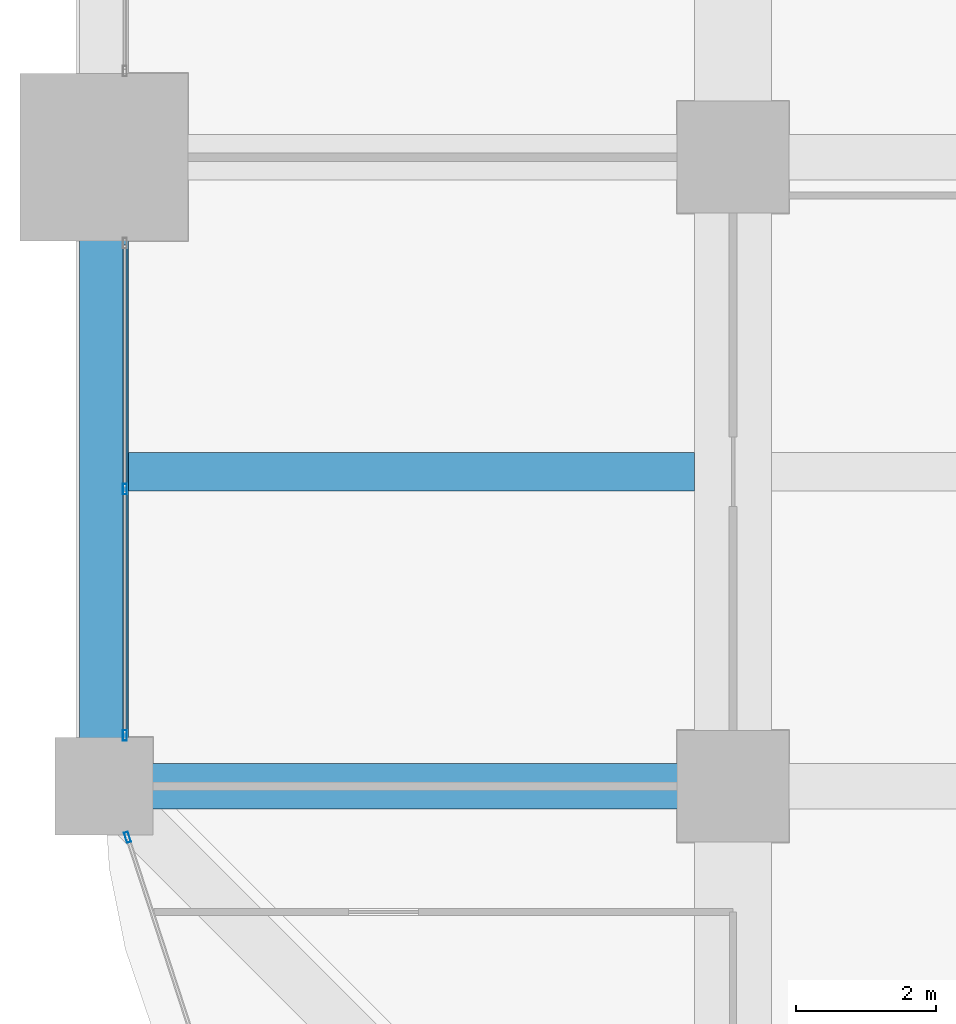
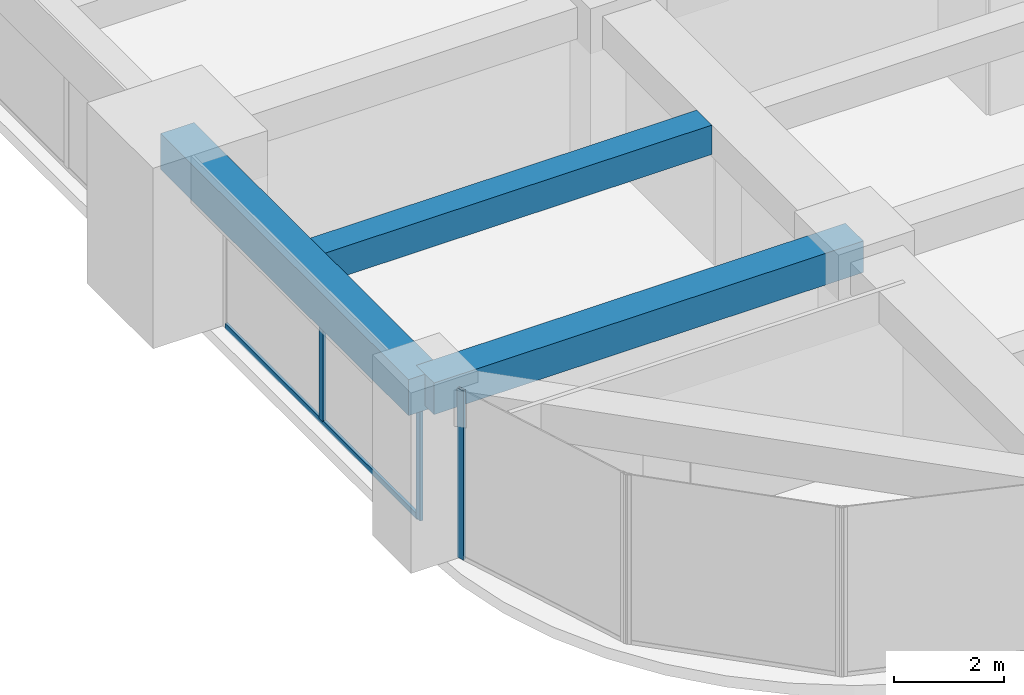
# One storey, part 4 of 32: 4 members, 3 beams, 2 elements without a shape of their own.
"""IFC4 building model written with IfcOpenShell, lengths in metres."""

import ifcopenshell
import ifcopenshell.guid

model = None  # the IFC model being written
_history = None  # IfcOwnerHistory: only IFC2X3 demands one
_inside = {}  # id of a spatial element -> (the spatial element, [elements in it])
_under = {}  # id of a project, library or spatial element -> (it, [spatial elements below it])
_declared = {}  # id of a project -> (the project, [libraries it declares])
_typed = {}  # id of a type object -> (the type object, [elements of that type])
_made_of = {}  # id of a material, layer set ... -> (it, [elements and type objects made of it])


def new_model(schema):
    """Start an empty IFC model of exactly this schema.

    Asked for "IFC4X3", IfcOpenShell would pick the latest addendum, in which some entities
    have other attributes; the version numbers below select the first issue.
    IFC2X3 requires an IfcOwnerHistory on every rooted entity: one is made here for all.
    """
    global model, _history
    if schema == "IFC4X3":
        model = ifcopenshell.file(schema_version=(4, 3, 0, 0))
    else:
        model = ifcopenshell.file(schema=schema)
    _inside.clear()
    _under.clear()
    _declared.clear()
    _typed.clear()
    _made_of.clear()
    _history = None
    if model.schema == "IFC2X3":
        org = make("IfcOrganization", Name="unknown")
        user = make(
            "IfcPersonAndOrganization",
            ThePerson=make("IfcPerson", FamilyName="unknown"),
            TheOrganization=org,
        )
        app = make(
            "IfcApplication",
            ApplicationDeveloper=org,
            Version="unknown",
            ApplicationFullName="unknown",
            ApplicationIdentifier="unknown",
        )
        _history = make(
            "IfcOwnerHistory",
            OwningUser=user,
            OwningApplication=app,
            ChangeAction="ADDED",
            CreationDate=0,
        )
    return model


def make(cls, **values):
    """One entity of the class cls with the attributes given. An attribute that is None is left unset."""
    return model.create_entity(
        cls, **{name: value for name, value in values.items() if value is not None}
    )


def rooted(cls, **values):
    """An entity with a GlobalId (a new one), such as an element, a storey or a relation."""
    return make(cls, GlobalId=ifcopenshell.guid.new(), OwnerHistory=_history, **values)


def si_unit(unit_type, name, prefix=None):
    """IfcSIUnit, for example si_unit("LENGTHUNIT", "METRE", prefix="MILLI")."""
    return make("IfcSIUnit", UnitType=unit_type, Prefix=prefix, Name=name)


def assignment(units):
    """IfcUnitAssignment: the units of a project."""
    return None if units is None else make("IfcUnitAssignment", Units=units)


def point(xyz):
    """IfcCartesianPoint."""
    return None if xyz is None else make("IfcCartesianPoint", Coordinates=xyz)


def direction(xyz):
    """IfcDirection."""
    return None if xyz is None else make("IfcDirection", DirectionRatios=xyz)


def frame(location, z_axis=None, x_axis=None):
    """IfcAxis2Placement3D, a coordinate frame: its origin and axes. An axis left out is left unset."""
    return make(
        "IfcAxis2Placement3D",
        Location=point(location),
        Axis=direction(z_axis),
        RefDirection=direction(x_axis),
    )


def frame_2d(location, x_axis=None):
    """IfcAxis2Placement2D, a coordinate frame in the plane: its origin and x axis."""
    return make(
        "IfcAxis2Placement2D", Location=point(location), RefDirection=direction(x_axis)
    )


def origin():
    """The frame at (0, 0, 0) with its axes left unset."""
    return frame((0.0, 0.0, 0.0))


def origin_2d():
    """The frame at (0, 0) in the plane with its x axis left unset."""
    return frame_2d((0.0, 0.0))


def place(relative_to, where):
    """IfcLocalPlacement: puts the frame where relative to a parent placement (None: the world)."""
    return make(
        "IfcLocalPlacement", PlacementRelTo=relative_to, RelativePlacement=where
    )


def context(
    kind, dimensions, precision=None, world=None, true_north=None, identifier=None
):
    """IfcGeometricRepresentationContext, for example the 3D "Model" context."""
    return make(
        "IfcGeometricRepresentationContext",
        ContextIdentifier=identifier,
        ContextType=kind,
        CoordinateSpaceDimension=dimensions,
        Precision=precision,
        WorldCoordinateSystem=world,
        TrueNorth=true_north,
    )


def subcontext(parent, identifier, kind, view, scale=None):
    """IfcGeometricRepresentationSubContext, for example "Body" below "Model"."""
    return make(
        "IfcGeometricRepresentationSubContext",
        ContextIdentifier=identifier,
        ContextType=kind,
        ParentContext=parent,
        TargetScale=scale,
        TargetView=view,
    )


def project(units=None, contexts=None):
    """IfcProject with its units and contexts."""
    return rooted(
        "IfcProject",
        Name="project",
        RepresentationContexts=contexts,
        UnitsInContext=assignment(units),
    )


def spatial(cls, under=None, at=None, **own):
    """A site, building, storey or space (cls), placed at a placement, below another one or the project."""
    s = rooted(cls, ObjectPlacement=at, **own)
    if under is not None:
        _under.setdefault(under.id(), (under, []))[1].append(s)
    return s


def profile(cls, at=None, kind="AREA", **sizes):
    """A parametric profile (cls). Its sizes go by their IFC names, for example OverallWidth=200.0."""
    return make(cls, ProfileType=kind, Position=at, **sizes)


def rectangle(**sizes):
    """IfcRectangleProfileDef."""
    return profile("IfcRectangleProfileDef", **sizes)


def hollow_rectangle(**sizes):
    """IfcRectangleHollowProfileDef."""
    return profile("IfcRectangleHollowProfileDef", **sizes)


def extrude(swept, where, along, depth):
    """IfcExtrudedAreaSolid: the profile swept, set in the frame where, extruded along a direction by depth."""
    return make(
        "IfcExtrudedAreaSolid",
        SweptArea=swept,
        Position=where,
        ExtrudedDirection=direction(along),
        Depth=depth,
    )


def shape(context_of_items, identifier, shape_type, items):
    """IfcShapeRepresentation: the items that make up one representation, for example the "Body"."""
    return make(
        "IfcShapeRepresentation",
        ContextOfItems=context_of_items,
        RepresentationIdentifier=identifier,
        RepresentationType=shape_type,
        Items=items,
    )


def material(Name=None, Category=None):
    """IfcMaterial."""
    return make("IfcMaterial", Name=Name, Category=Category)


def material_profile(
    of_material, cross_section, Name=None, Category=None, Priority=None
):
    """IfcMaterialProfile: a cross section and its material."""
    return make(
        "IfcMaterialProfile",
        Name=Name,
        Material=of_material,
        Profile=cross_section,
        Priority=Priority,
        Category=Category,
    )


def profile_set(profiles, Name=None, composite=None):
    """IfcMaterialProfileSet."""
    return make(
        "IfcMaterialProfileSet",
        Name=Name,
        MaterialProfiles=profiles,
        CompositeProfile=composite,
    )


def made_of(thing, what):
    """Note that an element or type object is made of a material, layer set ...; save() writes the relation."""
    if what is not None:
        _made_of.setdefault(what.id(), (what, []))[1].append(thing)
    return thing


def type_object(cls, material=None, **own):
    """A type object (cls), such as IfcWallType, which elements share."""
    return made_of(rooted(cls, **own), material)


def element(
    cls,
    number,
    at=None,
    inside=None,
    cuts=None,
    type_object=None,
    material=None,
    context=None,
    identifier="Body",
    shape_type=None,
    held_by="IfcProductDefinitionShape",
    body=None,
    shapes=None,
    **own,
):
    """One element of the class cls, such as IfcWall. Its Tag is "e" and its number.

    at: its placement. inside: the storey or other place that contains it. cuts: it is an
    opening in that element (IfcRelVoidsElement). A single representation is given by context,
    identifier, shape_type and body (its items); several are given by shapes. held_by: the class
    of the entity that holds the representations. save() writes the other relations.
    """
    e = rooted(cls, Tag="e%d" % number, ObjectPlacement=at, **own)
    if body is not None:
        shapes = [shape(context, identifier, shape_type, body)]
    if shapes is not None:
        e.Representation = make(held_by, Representations=shapes)
    if inside is not None:
        _inside.setdefault(inside.id(), (inside, []))[1].append(e)
    if cuts is not None:
        rooted(
            "IfcRelVoidsElement", RelatingBuildingElement=cuts, RelatedOpeningElement=e
        )
    if type_object is not None:
        _typed.setdefault(type_object.id(), (type_object, []))[1].append(e)
    return made_of(e, material)


def aggregate(whole, parts):
    """IfcRelAggregates: a whole, such as a stair, and the parts it consists of."""
    return rooted("IfcRelAggregates", RelatingObject=whole, RelatedObjects=parts)


def save(model, path):
    """Write the relations noted so far, then the file.

    IfcRelAggregates (storeys below a building ...), IfcRelContainedInSpatialStructure (elements
    in a storey), IfcRelDefinesByType, IfcRelAssociatesMaterial and IfcRelDeclares: one each for
    every whole, place, type object, material and project.
    """
    for whole, parts in _under.values():
        aggregate(whole, parts)
    for where, things in _inside.values():
        rooted(
            "IfcRelContainedInSpatialStructure",
            RelatedElements=things,
            RelatingStructure=where,
        )
    for kind, things in _typed.values():
        rooted("IfcRelDefinesByType", RelatedObjects=things, RelatingType=kind)
    for what, things in _made_of.values():
        rooted("IfcRelAssociatesMaterial", RelatedObjects=things, RelatingMaterial=what)
    for by, libraries in _declared.values():
        rooted("IfcRelDeclares", RelatingContext=by, RelatedDefinitions=libraries)
    model.write(path)


model = new_model("IFC4")

# Units and contexts
model_context = context("Model", 3, precision=1e-05, world=origin(), true_north=direction((0.0, 1.0)))
body_context = subcontext(model_context, "Body", "Model", "MODEL_VIEW")
ifc_project = project(units=[si_unit("LENGTHUNIT", "METRE"), si_unit("AREAUNIT", "SQUARE_METRE"), si_unit("VOLUMEUNIT", "CUBIC_METRE"), si_unit("PLANEANGLEUNIT", "RADIAN"), si_unit("MASSUNIT", "GRAM", prefix="KILO")], contexts=[model_context])

# Site, building, storey
site_placement = place(None, origin())
site = spatial("IfcSite", under=ifc_project, at=site_placement, CompositionType="ELEMENT")
building_placement = place(site_placement, origin())
building = spatial("IfcBuilding", under=site, at=building_placement, Name="Zorevar Civic Tower", CompositionType="ELEMENT")
storey_placement = place(building_placement, frame((0.0, 0.0, 190.199951171875)))
storey = spatial("IfcBuildingStorey", under=building, at=storey_placement, Name="L46", CompositionType="ELEMENT", Elevation=190.199951171875)

# Beams
ifc_material_1 = material(Name="Concrete C50/60", Category="concrete")
ifc_material_profile_1 = material_profile(ifc_material_1, rectangle(XDim=0.550048828125, YDim=0.64990234375, at=origin_2d()), Name="RC 550x650")
ifc_profile_set_1 = profile_set([ifc_material_profile_1], Name="Concrete C50/60")
beam_type_1 = type_object("IfcBeamType", Name="Beam RC 550x650", PredefinedType="BEAM", material=ifc_profile_set_1)
beam_1_placement = place(storey_placement, frame((0.35009765625, 13.5, 3.425048828125), z_axis=(1.0, 0.0, 0.0), x_axis=(0.0, 1.0, 0.0)))
element("IfcBeam", 1, at=beam_1_placement, inside=storey, type_object=beam_type_1, Name="Secondary beam L47", PredefinedType="BEAM", context=body_context, shape_type="SweptSolid", body=[
    extrude(rectangle(XDim=0.550048828125, YDim=0.64990234375, at=origin_2d()), origin(), (0.0, 0.0, 1.0), 8.099853515625),
])
ifc_material_2 = material(Name="Concrete C50/60", Category="concrete")
ifc_material_profile_2 = material_profile(ifc_material_2, rectangle(XDim=0.64990234375, YDim=0.699951171875, at=origin_2d()), Name="RC 650x700")
ifc_profile_set_2 = profile_set([ifc_material_profile_2], Name="Concrete C50/60")
beam_type_2 = type_object("IfcBeamType", Name="Beam RC 650x700", PredefinedType="BEAM", material=ifc_profile_set_2)
beam_2_placement = place(storey_placement, frame((0.0, 9.0, 3.400146484375), z_axis=(1.0, 0.0, 0.0), x_axis=(0.0, 1.0, 0.0)))
element("IfcBeam", 2, at=beam_2_placement, inside=storey, type_object=beam_type_2, Name="Girder L47", PredefinedType="BEAM", context=body_context, shape_type="SweptSolid", body=[
    extrude(rectangle(XDim=0.64990234375, YDim=0.699951171875, at=origin_2d()), origin(), (0.0, 0.0, 1.0), 9.0),
])

# Curtain wall, members
ifc_material_3 = material(Name="Dark grey solar-control glass in black aluminium frame", Category="aluminium")
curtain_wall_type = type_object("IfcCurtainWallType", Name="Curtain wall CW4 high zone", PredefinedType="NOTDEFINED", material=ifc_material_3)
curtain_wall_1_placement = place(storey_placement, origin())
curtain_wall_1 = element("IfcCurtainWall", 3, at=curtain_wall_1_placement, inside=storey, type_object=curtain_wall_type, Name="CW4 L46", PredefinedType="NOTDEFINED")
ifc_material_4 = material(Name="Aluminium, black anodised", Category="aluminium")
ifc_material_profile_3 = material_profile(ifc_material_4, hollow_rectangle(XDim=0.06005859375, YDim=0.14990234375, WallThickness=0.00390625, at=origin_2d()), Name="AL 150x60x4")
ifc_profile_set_3 = profile_set([ifc_material_profile_3], Name="Aluminium, black anodised")
member_type_1 = type_object("IfcMemberType", Name="CW4 mullion AL 150x60x4", PredefinedType="MULLION", material=ifc_profile_set_3)
member_1_placement = place(storey_placement, frame((0.300048828125, 9.72998046875, 0.0), z_axis=(0.0, 0.0, 1.0), x_axis=(-1.0, 0.0, 0.0)))
member_1 = element("IfcMember", 4, at=member_1_placement, type_object=member_type_1, Name="CW4 mullion 1", PredefinedType="MULLION", context=body_context, shape_type="SweptSolid", body=[
    extrude(hollow_rectangle(XDim=0.06005859375, YDim=0.14990234375, WallThickness=0.00390625, at=origin_2d()), origin(), (0.0, 0.0, 1.0), 2.949951171875),
])
member_2_placement = place(storey_placement, frame((0.300048828125, 13.25, 0.06005859375), z_axis=(0.0, 0.0, 1.0), x_axis=(-1.0, 0.0, 0.0)))
member_2 = element("IfcMember", 5, at=member_2_placement, type_object=member_type_1, Name="CW4 mullion 2", PredefinedType="MULLION", context=body_context, shape_type="SweptSolid", body=[
    extrude(hollow_rectangle(XDim=0.06005859375, YDim=0.14990234375, WallThickness=0.00390625, at=origin_2d()), origin(), (0.0, 0.0, 1.0), 2.889892578125),
])

# Curtain wall, member
curtain_wall_2_placement = place(storey_placement, origin())
curtain_wall_2 = element("IfcCurtainWall", 6, at=curtain_wall_2_placement, inside=storey, type_object=curtain_wall_type, Name="CW4 L46", PredefinedType="NOTDEFINED")
member_3_placement = place(storey_placement, frame((0.337646484375, 8.271484375, 0.0), z_axis=(0.0, 0.0, 1.0), x_axis=(0.950644749916, 0.310281419775, 0.0)))
member_3 = element("IfcMember", 7, at=member_3_placement, type_object=member_type_1, Name="CW4 mullion 1", PredefinedType="MULLION", context=body_context, shape_type="SweptSolid", body=[
    extrude(hollow_rectangle(XDim=0.06005859375, YDim=0.14990234375, WallThickness=0.00390625, at=origin_2d()), origin(), (0.0, 0.0, 1.0), 3.75),
])
aggregate(curtain_wall_2, [member_3])

# Member
ifc_material_5 = material(Name="Aluminium, black anodised", Category="aluminium")
ifc_material_profile_4 = material_profile(ifc_material_5, hollow_rectangle(XDim=0.06005859375, YDim=0.1201171875, WallThickness=0.0029296875, at=origin_2d()), Name="AL 120x60x3")
ifc_profile_set_4 = profile_set([ifc_material_profile_4], Name="Aluminium, black anodised")
member_type_2 = type_object("IfcMemberType", Name="CW4 transom AL 120x60x3", PredefinedType="USERDEFINED", material=ifc_profile_set_4)
member_4_placement = place(storey_placement, frame((0.300048828125, 9.760009765625, 0.030029296875), z_axis=(0.0, 1.0, 0.0), x_axis=(-1.0, 0.0, 0.0)))
member_4 = element("IfcMember", 8, at=member_4_placement, type_object=member_type_2, Name="CW4 sill transom", ObjectType="TRANSOM", PredefinedType="USERDEFINED", context=body_context, shape_type="SweptSolid", body=[
    extrude(hollow_rectangle(XDim=0.06005859375, YDim=0.1201171875, WallThickness=0.0029296875, at=origin_2d()), origin(), (0.0, 0.0, 1.0), 6.97998046875),
])

aggregate(curtain_wall_1, [member_1, member_2, member_4])

# Beam
ifc_material_6 = material(Name="Concrete C50/60", Category="concrete")
ifc_material_profile_5 = material_profile(ifc_material_6, rectangle(XDim=0.699951171875, YDim=0.800048828125, at=origin_2d()), Name="RC 700x800")
ifc_profile_set_5 = profile_set([ifc_material_profile_5], Name="Concrete C50/60")
beam_type_3 = type_object("IfcBeamType", Name="Edge beam RC 700x800", PredefinedType="SPANDREL", material=ifc_profile_set_5)
beam_3_placement = place(storey_placement, frame((0.0, 9.0, 3.35009765625), z_axis=(0.0, 1.0, 0.0), x_axis=(-1.0, 0.0, 0.0)))
element("IfcBeam", 9, at=beam_3_placement, inside=storey, type_object=beam_type_3, Name="Edge beam L47", PredefinedType="SPANDREL", context=body_context, shape_type="SweptSolid", body=[
    extrude(rectangle(XDim=0.699951171875, YDim=0.800048828125, at=origin_2d()), origin(), (0.0, 0.0, 1.0), 9.0),
])

save(model, "model.ifc")
